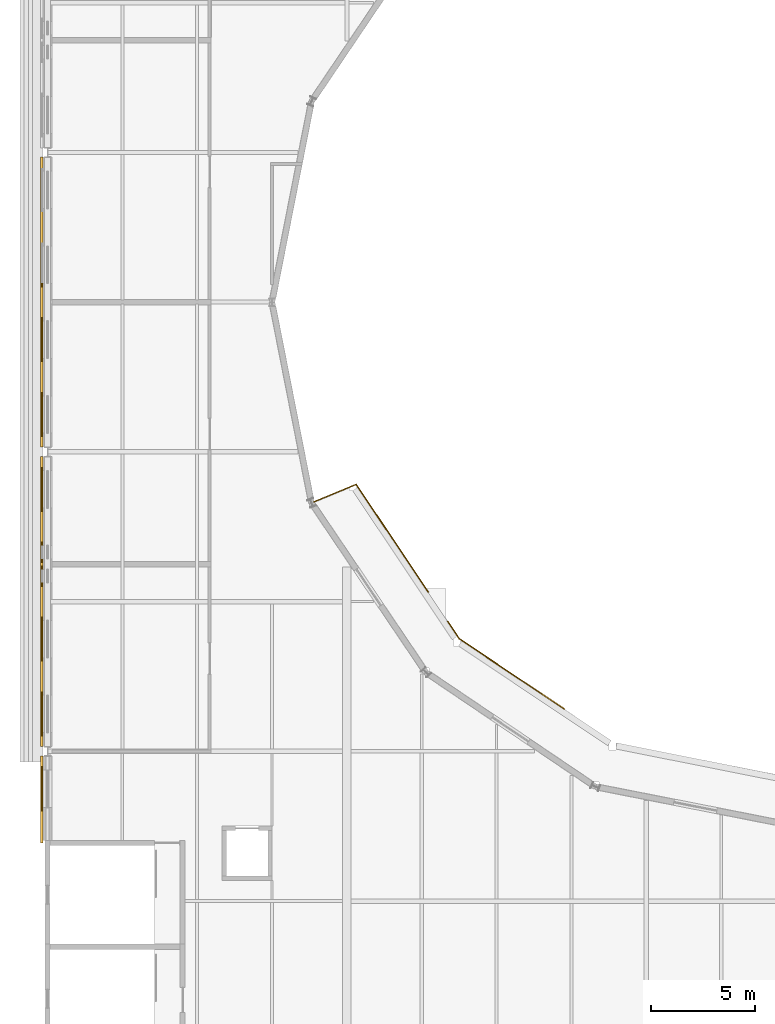
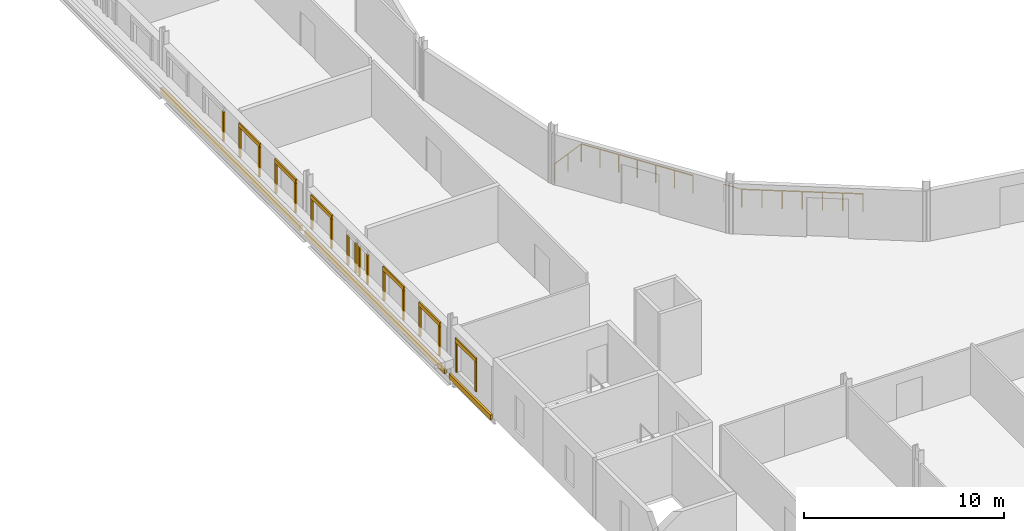
# One storey, part 115 of 142: 26 coverings, 4 railings.
"""IFC4 building model written with IfcOpenShell, lengths in metres."""

import ifcopenshell
import ifcopenshell.guid

model = None  # the IFC model being written
_history = None  # IfcOwnerHistory: only IFC2X3 demands one
_inside = {}  # id of a spatial element -> (the spatial element, [elements in it])
_under = {}  # id of a project, library or spatial element -> (it, [spatial elements below it])
_declared = {}  # id of a project -> (the project, [libraries it declares])
_typed = {}  # id of a type object -> (the type object, [elements of that type])
_made_of = {}  # id of a material, layer set ... -> (it, [elements and type objects made of it])


def new_model(schema):
    """Start an empty IFC model of exactly this schema.

    Asked for "IFC4X3", IfcOpenShell would pick the latest addendum, in which some entities
    have other attributes; the version numbers below select the first issue.
    IFC2X3 requires an IfcOwnerHistory on every rooted entity: one is made here for all.
    """
    global model, _history
    if schema == "IFC4X3":
        model = ifcopenshell.file(schema_version=(4, 3, 0, 0))
    else:
        model = ifcopenshell.file(schema=schema)
    _inside.clear()
    _under.clear()
    _declared.clear()
    _typed.clear()
    _made_of.clear()
    _history = None
    if model.schema == "IFC2X3":
        org = make("IfcOrganization", Name="unknown")
        user = make(
            "IfcPersonAndOrganization",
            ThePerson=make("IfcPerson", FamilyName="unknown"),
            TheOrganization=org,
        )
        app = make(
            "IfcApplication",
            ApplicationDeveloper=org,
            Version="unknown",
            ApplicationFullName="unknown",
            ApplicationIdentifier="unknown",
        )
        _history = make(
            "IfcOwnerHistory",
            OwningUser=user,
            OwningApplication=app,
            ChangeAction="ADDED",
            CreationDate=0,
        )
    return model


def make(cls, **values):
    """One entity of the class cls with the attributes given. An attribute that is None is left unset."""
    return model.create_entity(
        cls, **{name: value for name, value in values.items() if value is not None}
    )


def rooted(cls, **values):
    """An entity with a GlobalId (a new one), such as an element, a storey or a relation."""
    return make(cls, GlobalId=ifcopenshell.guid.new(), OwnerHistory=_history, **values)


def si_unit(unit_type, name, prefix=None):
    """IfcSIUnit, for example si_unit("LENGTHUNIT", "METRE", prefix="MILLI")."""
    return make("IfcSIUnit", UnitType=unit_type, Prefix=prefix, Name=name)


def assignment(units):
    """IfcUnitAssignment: the units of a project."""
    return None if units is None else make("IfcUnitAssignment", Units=units)


def point(xyz):
    """IfcCartesianPoint."""
    return None if xyz is None else make("IfcCartesianPoint", Coordinates=xyz)


def direction(xyz):
    """IfcDirection."""
    return None if xyz is None else make("IfcDirection", DirectionRatios=xyz)


def frame(location, z_axis=None, x_axis=None):
    """IfcAxis2Placement3D, a coordinate frame: its origin and axes. An axis left out is left unset."""
    return make(
        "IfcAxis2Placement3D",
        Location=point(location),
        Axis=direction(z_axis),
        RefDirection=direction(x_axis),
    )


def frame_2d(location, x_axis=None):
    """IfcAxis2Placement2D, a coordinate frame in the plane: its origin and x axis."""
    return make(
        "IfcAxis2Placement2D", Location=point(location), RefDirection=direction(x_axis)
    )


def origin():
    """The frame at (0, 0, 0) with its axes left unset."""
    return frame((0.0, 0.0, 0.0))


def origin_2d():
    """The frame at (0, 0) in the plane with its x axis left unset."""
    return frame_2d((0.0, 0.0))


def place(relative_to, where):
    """IfcLocalPlacement: puts the frame where relative to a parent placement (None: the world)."""
    return make(
        "IfcLocalPlacement", PlacementRelTo=relative_to, RelativePlacement=where
    )


def context(
    kind, dimensions, precision=None, world=None, true_north=None, identifier=None
):
    """IfcGeometricRepresentationContext, for example the 3D "Model" context."""
    return make(
        "IfcGeometricRepresentationContext",
        ContextIdentifier=identifier,
        ContextType=kind,
        CoordinateSpaceDimension=dimensions,
        Precision=precision,
        WorldCoordinateSystem=world,
        TrueNorth=true_north,
    )


def subcontext(parent, identifier, kind, view, scale=None):
    """IfcGeometricRepresentationSubContext, for example "Body" below "Model"."""
    return make(
        "IfcGeometricRepresentationSubContext",
        ContextIdentifier=identifier,
        ContextType=kind,
        ParentContext=parent,
        TargetScale=scale,
        TargetView=view,
    )


def project(units=None, contexts=None):
    """IfcProject with its units and contexts."""
    return rooted(
        "IfcProject",
        Name="project",
        RepresentationContexts=contexts,
        UnitsInContext=assignment(units),
    )


def spatial(cls, under=None, at=None, **own):
    """A site, building, storey or space (cls), placed at a placement, below another one or the project."""
    s = rooted(cls, ObjectPlacement=at, **own)
    if under is not None:
        _under.setdefault(under.id(), (under, []))[1].append(s)
    return s


def profile(cls, at=None, kind="AREA", **sizes):
    """A parametric profile (cls). Its sizes go by their IFC names, for example OverallWidth=200.0."""
    return make(cls, ProfileType=kind, Position=at, **sizes)


def rectangle(**sizes):
    """IfcRectangleProfileDef."""
    return profile("IfcRectangleProfileDef", **sizes)


def circle(**sizes):
    """IfcCircleProfileDef."""
    return profile("IfcCircleProfileDef", **sizes)


def extrude(swept, where, along, depth):
    """IfcExtrudedAreaSolid: the profile swept, set in the frame where, extruded along a direction by depth."""
    return make(
        "IfcExtrudedAreaSolid",
        SweptArea=swept,
        Position=where,
        ExtrudedDirection=direction(along),
        Depth=depth,
    )


def shape(context_of_items, identifier, shape_type, items):
    """IfcShapeRepresentation: the items that make up one representation, for example the "Body"."""
    return make(
        "IfcShapeRepresentation",
        ContextOfItems=context_of_items,
        RepresentationIdentifier=identifier,
        RepresentationType=shape_type,
        Items=items,
    )


def material(Name=None, Category=None):
    """IfcMaterial."""
    return make("IfcMaterial", Name=Name, Category=Category)


def layer(
    of_material, thickness, ventilated=None, Name=None, Category=None, Priority=None
):
    """IfcMaterialLayer: one layer of a wall or slab, of a material (None: an air gap)."""
    return make(
        "IfcMaterialLayer",
        Material=of_material,
        LayerThickness=thickness,
        IsVentilated=ventilated,
        Name=Name,
        Category=Category,
        Priority=Priority,
    )


def layer_set(layers, Name=None):
    """IfcMaterialLayerSet."""
    return make("IfcMaterialLayerSet", MaterialLayers=layers, LayerSetName=Name)


def made_of(thing, what):
    """Note that an element or type object is made of a material, layer set ...; save() writes the relation."""
    if what is not None:
        _made_of.setdefault(what.id(), (what, []))[1].append(thing)
    return thing


def type_object(cls, material=None, **own):
    """A type object (cls), such as IfcWallType, which elements share."""
    return made_of(rooted(cls, **own), material)


def element(
    cls,
    number,
    at=None,
    inside=None,
    cuts=None,
    type_object=None,
    material=None,
    context=None,
    identifier="Body",
    shape_type=None,
    held_by="IfcProductDefinitionShape",
    body=None,
    shapes=None,
    **own,
):
    """One element of the class cls, such as IfcWall. Its Tag is "e" and its number.

    at: its placement. inside: the storey or other place that contains it. cuts: it is an
    opening in that element (IfcRelVoidsElement). A single representation is given by context,
    identifier, shape_type and body (its items); several are given by shapes. held_by: the class
    of the entity that holds the representations. save() writes the other relations.
    """
    e = rooted(cls, Tag="e%d" % number, ObjectPlacement=at, **own)
    if body is not None:
        shapes = [shape(context, identifier, shape_type, body)]
    if shapes is not None:
        e.Representation = make(held_by, Representations=shapes)
    if inside is not None:
        _inside.setdefault(inside.id(), (inside, []))[1].append(e)
    if cuts is not None:
        rooted(
            "IfcRelVoidsElement", RelatingBuildingElement=cuts, RelatedOpeningElement=e
        )
    if type_object is not None:
        _typed.setdefault(type_object.id(), (type_object, []))[1].append(e)
    return made_of(e, material)


def aggregate(whole, parts):
    """IfcRelAggregates: a whole, such as a stair, and the parts it consists of."""
    return rooted("IfcRelAggregates", RelatingObject=whole, RelatedObjects=parts)


def save(model, path):
    """Write the relations noted so far, then the file.

    IfcRelAggregates (storeys below a building ...), IfcRelContainedInSpatialStructure (elements
    in a storey), IfcRelDefinesByType, IfcRelAssociatesMaterial and IfcRelDeclares: one each for
    every whole, place, type object, material and project.
    """
    for whole, parts in _under.values():
        aggregate(whole, parts)
    for where, things in _inside.values():
        rooted(
            "IfcRelContainedInSpatialStructure",
            RelatedElements=things,
            RelatingStructure=where,
        )
    for kind, things in _typed.values():
        rooted("IfcRelDefinesByType", RelatedObjects=things, RelatingType=kind)
    for what, things in _made_of.values():
        rooted("IfcRelAssociatesMaterial", RelatedObjects=things, RelatingMaterial=what)
    for by, libraries in _declared.values():
        rooted("IfcRelDeclares", RelatingContext=by, RelatedDefinitions=libraries)
    model.write(path)


model = new_model("IFC4")

# Units and contexts
model_context = context("Model", 3, precision=1e-05, world=origin(), true_north=direction((0.0, 1.0)))
body_context = subcontext(model_context, "Body", "Model", "MODEL_VIEW")
ifc_project = project(units=[si_unit("LENGTHUNIT", "METRE"), si_unit("AREAUNIT", "SQUARE_METRE"), si_unit("VOLUMEUNIT", "CUBIC_METRE"), si_unit("PLANEANGLEUNIT", "RADIAN"), si_unit("MASSUNIT", "GRAM", prefix="KILO")], contexts=[model_context])

# Site, building, storey
site_placement = place(None, origin())
site = spatial("IfcSite", under=ifc_project, at=site_placement, CompositionType="ELEMENT")
building_placement = place(site_placement, origin())
building = spatial("IfcBuilding", under=site, at=building_placement, Name="Kupolbacken Congress Centre", CompositionType="ELEMENT")
storey_placement = place(building_placement, frame((0.0, 0.0, 14.39990234375)))
storey = spatial("IfcBuildingStorey", under=building, at=storey_placement, Name="L04", CompositionType="ELEMENT", Elevation=14.39990234375)

# Coverings
ifc_material_1 = material(Name="Limestone cladding", Category="masonry")
ifc_layer = layer(ifc_material_1, 0.1201171875)
ifc_layer_set = layer_set([ifc_layer], Name="Limestone cladding")
covering_type = type_object("IfcCoveringType", Name="CV1 limestone cladding band 120", PredefinedType="CLADDING", material=ifc_layer_set)
covering_1_placement = place(storey_placement, frame((6.919921875, 86.39990234375, 0.0), z_axis=(0.0, 0.0, 1.0), x_axis=(0.0, -1.0, 0.0)))
element("IfcCovering", 1, at=covering_1_placement, inside=storey, type_object=covering_type, Name="E/P/W/L04/452/band", PredefinedType="CLADDING", context=body_context, shape_type="SweptSolid", body=[
    extrude(rectangle(XDim=13.949951171875, YDim=0.1201171875, at=origin_2d()), origin(), (0.0, 0.0, 1.0), 0.300048828125),
])
for number, where, z_axis, x_axis, name in (
    (2, (6.93994140625, 81.97509765625, 0.75), (0.0, 0.0, 1.0), (0.0, -1.0, 0.0), "E/P/W/L04/452/W1/jl"),
    (3, (6.93994140625, 80.02490234375, 0.75), (0.0, 0.0, 1.0), (0.0, -1.0, 0.0), "E/P/W/L04/452/W1/jr"),
):
    element("IfcCovering", number, at=place(storey_placement, frame(where, z_axis=z_axis, x_axis=x_axis)), inside=storey, type_object=covering_type, Name=name, PredefinedType="CLADDING", context=body_context, shape_type="SweptSolid", body=[
        extrude(rectangle(XDim=0.14990234375, YDim=0.080078125, at=origin_2d()), origin(), (0.0, 0.0, 1.0), 1.800048828125),
    ])
covering_2_placement = place(storey_placement, frame((6.93994140625, 81.0, 2.550048828125), z_axis=(0.0, 0.0, 1.0), x_axis=(0.0, -1.0, 0.0)))
element("IfcCovering", 4, at=covering_2_placement, inside=storey, type_object=covering_type, Name="E/P/W/L04/452/W1/hd", PredefinedType="CLADDING", context=body_context, shape_type="SweptSolid", body=[
    extrude(rectangle(XDim=2.10009765625, YDim=0.080078125, at=origin_2d()), origin(), (0.0, 0.0, 1.0), 0.25),
])
for number, where, z_axis, x_axis, name in (
    (5, (6.93994140625, 85.574951171875, 0.75), (0.0, 0.0, 1.0), (0.0, -1.0, 0.0), "E/P/W/L04/452/W2/jl"),
    (6, (6.93994140625, 83.625, 0.75), (0.0, 0.0, 1.0), (0.0, -1.0, 0.0), "E/P/W/L04/452/W2/jr"),
):
    element("IfcCovering", number, at=place(storey_placement, frame(where, z_axis=z_axis, x_axis=x_axis)), inside=storey, type_object=covering_type, Name=name, PredefinedType="CLADDING", context=body_context, shape_type="SweptSolid", body=[
        extrude(rectangle(XDim=0.14990234375, YDim=0.080078125, at=origin_2d()), origin(), (0.0, 0.0, 1.0), 1.800048828125),
    ])
covering_3_placement = place(storey_placement, frame((6.93994140625, 84.60009765625, 2.550048828125), z_axis=(0.0, 0.0, 1.0), x_axis=(0.0, -1.0, 0.0)))
element("IfcCovering", 7, at=covering_3_placement, inside=storey, type_object=covering_type, Name="E/P/W/L04/452/W2/hd", PredefinedType="CLADDING", context=body_context, shape_type="SweptSolid", body=[
    extrude(rectangle(XDim=2.10009765625, YDim=0.080078125, at=origin_2d()), origin(), (0.0, 0.0, 1.0), 0.25),
])
covering_4_placement = place(storey_placement, frame((6.93994140625, 87.22509765625, 0.75), z_axis=(0.0, 0.0, 1.0), x_axis=(0.0, -1.0, 0.0)))
element("IfcCovering", 8, at=covering_4_placement, inside=storey, type_object=covering_type, Name="E/P/W/L04/452/W3/jr", PredefinedType="CLADDING", context=body_context, shape_type="SweptSolid", body=[
    extrude(rectangle(XDim=0.14990234375, YDim=0.080078125, at=origin_2d()), origin(), (0.0, 0.0, 1.0), 1.800048828125),
])
covering_5_placement = place(storey_placement, frame((6.919921875, 72.0, 0.0), z_axis=(0.0, 0.0, 1.0), x_axis=(0.0, -1.0, 0.0)))
element("IfcCovering", 9, at=covering_5_placement, inside=storey, type_object=covering_type, Name="E/P/W/L04/453/band", PredefinedType="CLADDING", context=body_context, shape_type="SweptSolid", body=[
    extrude(rectangle(XDim=13.949951171875, YDim=0.1201171875, at=origin_2d()), origin(), (0.0, 0.0, 1.0), 0.300048828125),
])
for number, where, z_axis, x_axis, name in (
    (10, (6.93994140625, 67.574951171875, 0.75), (0.0, 0.0, 1.0), (0.0, -1.0, 0.0), "E/P/W/L04/453/W1/jl"),
    (11, (6.93994140625, 65.625, 0.75), (0.0, 0.0, 1.0), (0.0, -1.0, 0.0), "E/P/W/L04/453/W1/jr"),
):
    element("IfcCovering", number, at=place(storey_placement, frame(where, z_axis=z_axis, x_axis=x_axis)), inside=storey, type_object=covering_type, Name=name, PredefinedType="CLADDING", context=body_context, shape_type="SweptSolid", body=[
        extrude(rectangle(XDim=0.14990234375, YDim=0.080078125, at=origin_2d()), origin(), (0.0, 0.0, 1.0), 1.800048828125),
    ])
covering_6_placement = place(storey_placement, frame((6.93994140625, 66.60009765625, 2.550048828125), z_axis=(0.0, 0.0, 1.0), x_axis=(0.0, -1.0, 0.0)))
element("IfcCovering", 12, at=covering_6_placement, inside=storey, type_object=covering_type, Name="E/P/W/L04/453/W1/hd", PredefinedType="CLADDING", context=body_context, shape_type="SweptSolid", body=[
    extrude(rectangle(XDim=2.10009765625, YDim=0.080078125, at=origin_2d()), origin(), (0.0, 0.0, 1.0), 0.25),
])
for number, where, z_axis, x_axis, name in (
    (13, (6.93994140625, 71.175048828125, 0.75), (0.0, 0.0, 1.0), (0.0, -1.0, 0.0), "E/P/W/L04/453/W2/jl"),
    (14, (6.93994140625, 69.22509765625, 0.75), (0.0, 0.0, 1.0), (0.0, -1.0, 0.0), "E/P/W/L04/453/W2/jr"),
):
    element("IfcCovering", number, at=place(storey_placement, frame(where, z_axis=z_axis, x_axis=x_axis)), inside=storey, type_object=covering_type, Name=name, PredefinedType="CLADDING", context=body_context, shape_type="SweptSolid", body=[
        extrude(rectangle(XDim=0.14990234375, YDim=0.080078125, at=origin_2d()), origin(), (0.0, 0.0, 1.0), 1.800048828125),
    ])
covering_7_placement = place(storey_placement, frame((6.93994140625, 70.199951171875, 2.550048828125), z_axis=(0.0, 0.0, 1.0), x_axis=(0.0, -1.0, 0.0)))
element("IfcCovering", 15, at=covering_7_placement, inside=storey, type_object=covering_type, Name="E/P/W/L04/453/W2/hd", PredefinedType="CLADDING", context=body_context, shape_type="SweptSolid", body=[
    extrude(rectangle(XDim=2.10009765625, YDim=0.080078125, at=origin_2d()), origin(), (0.0, 0.0, 1.0), 0.25),
])
for number, where, z_axis, x_axis, name in (
    (16, (6.93994140625, 74.77490234375, 0.75), (0.0, 0.0, 1.0), (0.0, -1.0, 0.0), "E/P/W/L04/453/W3/jl"),
    (17, (6.93994140625, 73.97509765625, 0.75), (0.0, 0.0, 1.0), (0.0, -1.0, 0.0), "E/P/W/L04/453/W3/jr"),
    (18, (6.93994140625, 73.625, 0.75), (0.0, 0.0, 1.0), (0.0, -1.0, 0.0), "E/P/W/L04/453/W4/jl"),
    (19, (6.93994140625, 72.824951171875, 0.75), (0.0, 0.0, 1.0), (0.0, -1.0, 0.0), "E/P/W/L04/453/W4/jr"),
    (20, (6.93994140625, 78.375, 0.75), (0.0, 0.0, 1.0), (0.0, -1.0, 0.0), "E/P/W/L04/453/W5/jl"),
    (21, (6.93994140625, 76.425048828125, 0.75), (0.0, 0.0, 1.0), (0.0, -1.0, 0.0), "E/P/W/L04/453/W5/jr"),
):
    element("IfcCovering", number, at=place(storey_placement, frame(where, z_axis=z_axis, x_axis=x_axis)), inside=storey, type_object=covering_type, Name=name, PredefinedType="CLADDING", context=body_context, shape_type="SweptSolid", body=[
        extrude(rectangle(XDim=0.14990234375, YDim=0.080078125, at=origin_2d()), origin(), (0.0, 0.0, 1.0), 1.800048828125),
    ])
covering_8_placement = place(storey_placement, frame((6.93994140625, 77.39990234375, 2.550048828125), z_axis=(0.0, 0.0, 1.0), x_axis=(0.0, -1.0, 0.0)))
element("IfcCovering", 22, at=covering_8_placement, inside=storey, type_object=covering_type, Name="E/P/W/L04/453/W5/hd", PredefinedType="CLADDING", context=body_context, shape_type="SweptSolid", body=[
    extrude(rectangle(XDim=2.10009765625, YDim=0.080078125, at=origin_2d()), origin(), (0.0, 0.0, 1.0), 0.25),
])
covering_9_placement = place(storey_placement, frame((6.919921875, 62.487548828125, 0.0), z_axis=(0.0, 0.0, 1.0), x_axis=(0.0, -1.0, 0.0)))
element("IfcCovering", 23, at=covering_9_placement, inside=storey, type_object=covering_type, Name="E/P/W/L04/454/band", PredefinedType="CLADDING", context=body_context, shape_type="SweptSolid", body=[
    extrude(rectangle(XDim=4.175048828125, YDim=0.1201171875, at=origin_2d()), origin(), (0.0, 0.0, 1.0), 0.300048828125),
])
for number, where, z_axis, x_axis, name in (
    (24, (6.93994140625, 63.97509765625, 0.75), (0.0, 0.0, 1.0), (0.0, -1.0, 0.0), "E/P/W/L04/454/W1/jl"),
    (25, (6.93994140625, 62.02490234375, 0.75), (0.0, 0.0, 1.0), (0.0, -1.0, 0.0), "E/P/W/L04/454/W1/jr"),
):
    element("IfcCovering", number, at=place(storey_placement, frame(where, z_axis=z_axis, x_axis=x_axis)), inside=storey, type_object=covering_type, Name=name, PredefinedType="CLADDING", context=body_context, shape_type="SweptSolid", body=[
        extrude(rectangle(XDim=0.14990234375, YDim=0.080078125, at=origin_2d()), origin(), (0.0, 0.0, 1.0), 1.800048828125),
    ])
covering_10_placement = place(storey_placement, frame((6.93994140625, 63.0, 2.550048828125), z_axis=(0.0, 0.0, 1.0), x_axis=(0.0, -1.0, 0.0)))
element("IfcCovering", 26, at=covering_10_placement, inside=storey, type_object=covering_type, Name="E/P/W/L04/454/W1/hd", PredefinedType="CLADDING", context=body_context, shape_type="SweptSolid", body=[
    extrude(rectangle(XDim=2.10009765625, YDim=0.080078125, at=origin_2d()), origin(), (0.0, 0.0, 1.0), 0.25),
])

# Railings
ifc_material_2 = material(Name="Steel S235", Category="steel")
railing_type = type_object("IfcRailingType", Name="RL1 guard 1100 steel balustrade", PredefinedType="GUARDRAIL", material=ifc_material_2)
railing_1_placement = place(storey_placement, frame((22.047119140625, 77.63818359375, 0.0)))
element("IfcRailing", 27, at=railing_1_placement, inside=storey, type_object=railing_type, Name="PD/L04/ringguard/2025/1", PredefinedType="GUARDRAIL", context=body_context, shape_type="SweptSolid", body=[
    extrude(circle(Radius=0.02392578125, at=origin_2d()), frame((0.0, 0.0, 1.076171875), z_axis=(0.555568979195, -0.83147045008, 0.0), x_axis=(0.83147045008, 0.555568979195, 0.0)), (0.0, 0.0, 1.0), 6.223388671875),
    extrude(circle(Radius=0.02099609375, at=origin_2d()), origin(), (0.0, 0.0, 1.0), 1.052001953125),
    extrude(circle(Radius=0.02099609375, at=origin_2d()), frame((0.576171875, -0.8623046875, 0.0)), (0.0, 0.0, 1.0), 1.052001953125),
    extrude(circle(Radius=0.02099609375, at=origin_2d()), frame((1.152587890625, -1.724853515625, 0.0)), (0.0, 0.0, 1.0), 1.052001953125),
    extrude(circle(Radius=0.02099609375, at=origin_2d()), frame((1.728759765625, -2.58740234375, 0.0)), (0.0, 0.0, 1.0), 1.052001953125),
    extrude(circle(Radius=0.02099609375, at=origin_2d()), frame((2.304931640625, -3.44970703125, 0.0)), (0.0, 0.0, 1.0), 1.052001953125),
    extrude(circle(Radius=0.02099609375, at=origin_2d()), frame((2.88134765625, -4.31201171875, 0.0)), (0.0, 0.0, 1.0), 1.052001953125),
    extrude(circle(Radius=0.02099609375, at=origin_2d()), frame((3.45751953125, -5.174560546875, 0.0)), (0.0, 0.0, 1.0), 1.052001953125),
])
railing_2_placement = place(storey_placement, frame((26.45263671875, 71.044921875, 0.0)))
element("IfcRailing", 28, at=railing_2_placement, inside=storey, type_object=railing_type, Name="PD/L04/ringguard/2025/2", PredefinedType="GUARDRAIL", context=body_context, shape_type="SweptSolid", body=[
    extrude(circle(Radius=0.02392578125, at=origin_2d()), frame((0.0, 0.0, 1.076171875), z_axis=(0.555485695862, -0.83152609201, 0.0), x_axis=(0.83152609201, 0.555485695862, 0.0)), (0.0, 0.0, 1.0), 1.00390625),
    extrude(circle(Radius=0.02099609375, at=origin_2d()), origin(), (0.0, 0.0, 1.0), 1.052001953125),
    extrude(circle(Radius=0.02099609375, at=origin_2d()), frame((0.5576171875, -0.834716796875, 0.0)), (0.0, 0.0, 1.0), 1.052001953125),
])
railing_3_placement = place(storey_placement, frame((27.01025390625, 70.210205078125, 0.0)))
element("IfcRailing", 29, at=railing_3_placement, inside=storey, type_object=railing_type, Name="PD/L04/ringguard/2250", PredefinedType="GUARDRAIL", context=body_context, shape_type="SweptSolid", body=[
    extrude(circle(Radius=0.02392578125, at=origin_2d()), frame((0.0, 0.0, 1.076171875), z_axis=(0.831474637461, -0.555562712265, 0.0), x_axis=(0.555562712265, 0.831474637461, 0.0)), (0.0, 0.0, 1.0), 6.07275390625),
    extrude(circle(Radius=0.02099609375, at=origin_2d()), origin(), (0.0, 0.0, 1.0), 1.052001953125),
    extrude(circle(Radius=0.02099609375, at=origin_2d()), frame((0.841552734375, -0.562255859375, 0.0)), (0.0, 0.0, 1.0), 1.052001953125),
    extrude(circle(Radius=0.02099609375, at=origin_2d()), frame((1.68310546875, -1.12451171875, 0.0)), (0.0, 0.0, 1.0), 1.052001953125),
    extrude(circle(Radius=0.02099609375, at=origin_2d()), frame((2.524658203125, -1.68701171875, 0.0)), (0.0, 0.0, 1.0), 1.052001953125),
    extrude(circle(Radius=0.02099609375, at=origin_2d()), frame((3.3662109375, -2.249267578125, 0.0)), (0.0, 0.0, 1.0), 1.052001953125),
    extrude(circle(Radius=0.02099609375, at=origin_2d()), frame((4.207763671875, -2.8115234375, 0.0)), (0.0, 0.0, 1.0), 1.052001953125),
    extrude(circle(Radius=0.02099609375, at=origin_2d()), frame((5.04931640625, -3.373779296875, 0.0)), (0.0, 0.0, 1.0), 1.052001953125),
])
railing_4_placement = place(storey_placement, frame((22.047119140625, 77.63818359375, 0.0)))
element("IfcRailing", 30, at=railing_4_placement, inside=storey, type_object=railing_type, Name="PD/L04/ringend/s", PredefinedType="GUARDRAIL", context=body_context, shape_type="SweptSolid", body=[
    extrude(circle(Radius=0.02392578125, at=origin_2d()), frame((0.0, 0.0, 1.076171875), z_axis=(-0.923885916677, -0.382668019261, 0.0), x_axis=(0.382668019261, -0.923885916677, 0.0)), (0.0, 0.0, 1.0), 2.181884765625),
    extrude(circle(Radius=0.02099609375, at=origin_2d()), origin(), (0.0, 0.0, 1.0), 1.052001953125),
    extrude(circle(Radius=0.02099609375, at=origin_2d()), frame((-1.0078125, -0.41748046875, 0.0)), (0.0, 0.0, 1.0), 1.052001953125),
    extrude(circle(Radius=0.02099609375, at=origin_2d()), frame((-2.015869140625, -0.8349609375, 0.0)), (0.0, 0.0, 1.0), 1.052001953125),
])

save(model, "model.ifc")
